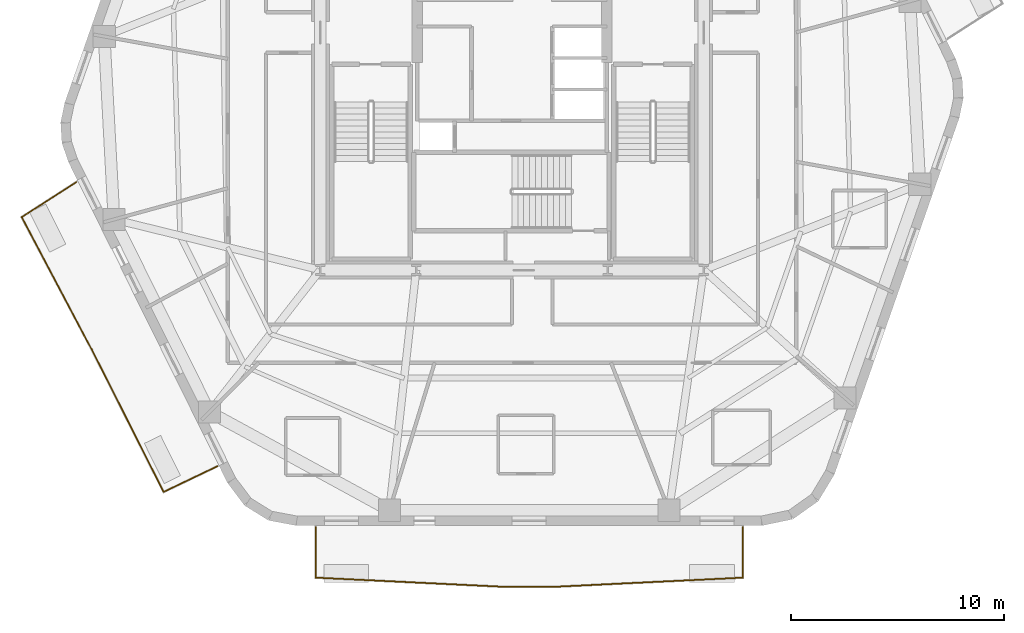
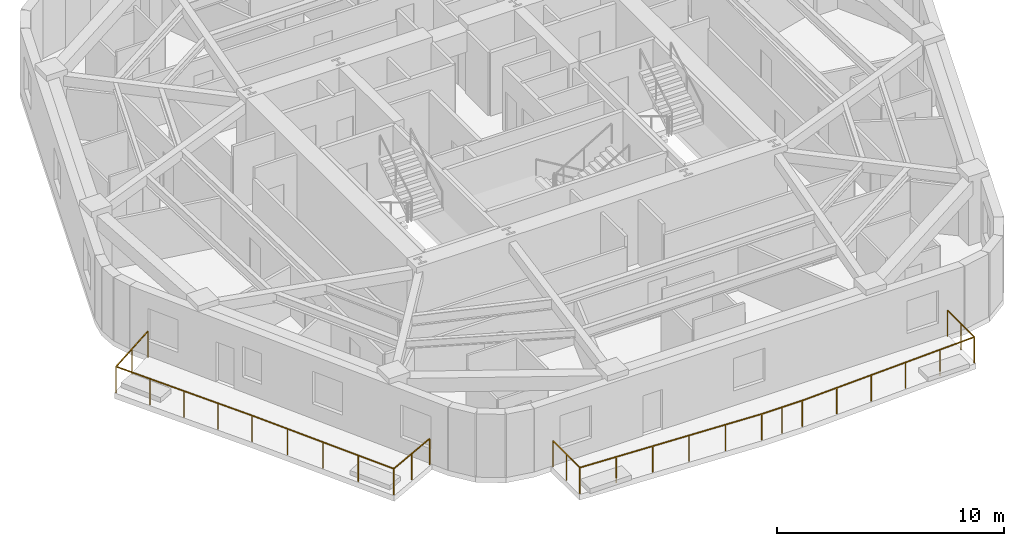
# One storey, part 8 of 10: 2 railings.
"""IFC4 building model written with IfcOpenShell, lengths in metres."""

import ifcopenshell
import ifcopenshell.guid

model = None  # the IFC model being written
_history = None  # IfcOwnerHistory: only IFC2X3 demands one
_inside = {}  # id of a spatial element -> (the spatial element, [elements in it])
_under = {}  # id of a project, library or spatial element -> (it, [spatial elements below it])
_declared = {}  # id of a project -> (the project, [libraries it declares])
_typed = {}  # id of a type object -> (the type object, [elements of that type])
_made_of = {}  # id of a material, layer set ... -> (it, [elements and type objects made of it])


def new_model(schema):
    """Start an empty IFC model of exactly this schema.

    Asked for "IFC4X3", IfcOpenShell would pick the latest addendum, in which some entities
    have other attributes; the version numbers below select the first issue.
    IFC2X3 requires an IfcOwnerHistory on every rooted entity: one is made here for all.
    """
    global model, _history
    if schema == "IFC4X3":
        model = ifcopenshell.file(schema_version=(4, 3, 0, 0))
    else:
        model = ifcopenshell.file(schema=schema)
    _inside.clear()
    _under.clear()
    _declared.clear()
    _typed.clear()
    _made_of.clear()
    _history = None
    if model.schema == "IFC2X3":
        org = make("IfcOrganization", Name="unknown")
        user = make(
            "IfcPersonAndOrganization",
            ThePerson=make("IfcPerson", FamilyName="unknown"),
            TheOrganization=org,
        )
        app = make(
            "IfcApplication",
            ApplicationDeveloper=org,
            Version="unknown",
            ApplicationFullName="unknown",
            ApplicationIdentifier="unknown",
        )
        _history = make(
            "IfcOwnerHistory",
            OwningUser=user,
            OwningApplication=app,
            ChangeAction="ADDED",
            CreationDate=0,
        )
    return model


def make(cls, **values):
    """One entity of the class cls with the attributes given. An attribute that is None is left unset."""
    return model.create_entity(
        cls, **{name: value for name, value in values.items() if value is not None}
    )


def rooted(cls, **values):
    """An entity with a GlobalId (a new one), such as an element, a storey or a relation."""
    return make(cls, GlobalId=ifcopenshell.guid.new(), OwnerHistory=_history, **values)


def si_unit(unit_type, name, prefix=None):
    """IfcSIUnit, for example si_unit("LENGTHUNIT", "METRE", prefix="MILLI")."""
    return make("IfcSIUnit", UnitType=unit_type, Prefix=prefix, Name=name)


def assignment(units):
    """IfcUnitAssignment: the units of a project."""
    return None if units is None else make("IfcUnitAssignment", Units=units)


def point(xyz):
    """IfcCartesianPoint."""
    return None if xyz is None else make("IfcCartesianPoint", Coordinates=xyz)


def direction(xyz):
    """IfcDirection."""
    return None if xyz is None else make("IfcDirection", DirectionRatios=xyz)


def frame(location, z_axis=None, x_axis=None):
    """IfcAxis2Placement3D, a coordinate frame: its origin and axes. An axis left out is left unset."""
    return make(
        "IfcAxis2Placement3D",
        Location=point(location),
        Axis=direction(z_axis),
        RefDirection=direction(x_axis),
    )


def frame_2d(location, x_axis=None):
    """IfcAxis2Placement2D, a coordinate frame in the plane: its origin and x axis."""
    return make(
        "IfcAxis2Placement2D", Location=point(location), RefDirection=direction(x_axis)
    )


def origin():
    """The frame at (0, 0, 0) with its axes left unset."""
    return frame((0.0, 0.0, 0.0))


def origin_2d():
    """The frame at (0, 0) in the plane with its x axis left unset."""
    return frame_2d((0.0, 0.0))


def place(relative_to, where):
    """IfcLocalPlacement: puts the frame where relative to a parent placement (None: the world)."""
    return make(
        "IfcLocalPlacement", PlacementRelTo=relative_to, RelativePlacement=where
    )


def context(
    kind, dimensions, precision=None, world=None, true_north=None, identifier=None
):
    """IfcGeometricRepresentationContext, for example the 3D "Model" context."""
    return make(
        "IfcGeometricRepresentationContext",
        ContextIdentifier=identifier,
        ContextType=kind,
        CoordinateSpaceDimension=dimensions,
        Precision=precision,
        WorldCoordinateSystem=world,
        TrueNorth=true_north,
    )


def subcontext(parent, identifier, kind, view, scale=None):
    """IfcGeometricRepresentationSubContext, for example "Body" below "Model"."""
    return make(
        "IfcGeometricRepresentationSubContext",
        ContextIdentifier=identifier,
        ContextType=kind,
        ParentContext=parent,
        TargetScale=scale,
        TargetView=view,
    )


def project(units=None, contexts=None):
    """IfcProject with its units and contexts."""
    return rooted(
        "IfcProject",
        Name="project",
        RepresentationContexts=contexts,
        UnitsInContext=assignment(units),
    )


def spatial(cls, under=None, at=None, **own):
    """A site, building, storey or space (cls), placed at a placement, below another one or the project."""
    s = rooted(cls, ObjectPlacement=at, **own)
    if under is not None:
        _under.setdefault(under.id(), (under, []))[1].append(s)
    return s


def profile(cls, at=None, kind="AREA", **sizes):
    """A parametric profile (cls). Its sizes go by their IFC names, for example OverallWidth=200.0."""
    return make(cls, ProfileType=kind, Position=at, **sizes)


def rectangle(**sizes):
    """IfcRectangleProfileDef."""
    return profile("IfcRectangleProfileDef", **sizes)


def extrude(swept, where, along, depth):
    """IfcExtrudedAreaSolid: the profile swept, set in the frame where, extruded along a direction by depth."""
    return make(
        "IfcExtrudedAreaSolid",
        SweptArea=swept,
        Position=where,
        ExtrudedDirection=direction(along),
        Depth=depth,
    )


def shape(context_of_items, identifier, shape_type, items):
    """IfcShapeRepresentation: the items that make up one representation, for example the "Body"."""
    return make(
        "IfcShapeRepresentation",
        ContextOfItems=context_of_items,
        RepresentationIdentifier=identifier,
        RepresentationType=shape_type,
        Items=items,
    )


def material(Name=None, Category=None):
    """IfcMaterial."""
    return make("IfcMaterial", Name=Name, Category=Category)


def layer(
    of_material, thickness, ventilated=None, Name=None, Category=None, Priority=None
):
    """IfcMaterialLayer: one layer of a wall or slab, of a material (None: an air gap)."""
    return make(
        "IfcMaterialLayer",
        Material=of_material,
        LayerThickness=thickness,
        IsVentilated=ventilated,
        Name=Name,
        Category=Category,
        Priority=Priority,
    )


def layer_set(layers, Name=None):
    """IfcMaterialLayerSet."""
    return make("IfcMaterialLayerSet", MaterialLayers=layers, LayerSetName=Name)


def made_of(thing, what):
    """Note that an element or type object is made of a material, layer set ...; save() writes the relation."""
    if what is not None:
        _made_of.setdefault(what.id(), (what, []))[1].append(thing)
    return thing


def type_object(cls, material=None, **own):
    """A type object (cls), such as IfcWallType, which elements share."""
    return made_of(rooted(cls, **own), material)


def element(
    cls,
    number,
    at=None,
    inside=None,
    cuts=None,
    type_object=None,
    material=None,
    context=None,
    identifier="Body",
    shape_type=None,
    held_by="IfcProductDefinitionShape",
    body=None,
    shapes=None,
    **own,
):
    """One element of the class cls, such as IfcWall. Its Tag is "e" and its number.

    at: its placement. inside: the storey or other place that contains it. cuts: it is an
    opening in that element (IfcRelVoidsElement). A single representation is given by context,
    identifier, shape_type and body (its items); several are given by shapes. held_by: the class
    of the entity that holds the representations. save() writes the other relations.
    """
    e = rooted(cls, Tag="e%d" % number, ObjectPlacement=at, **own)
    if body is not None:
        shapes = [shape(context, identifier, shape_type, body)]
    if shapes is not None:
        e.Representation = make(held_by, Representations=shapes)
    if inside is not None:
        _inside.setdefault(inside.id(), (inside, []))[1].append(e)
    if cuts is not None:
        rooted(
            "IfcRelVoidsElement", RelatingBuildingElement=cuts, RelatedOpeningElement=e
        )
    if type_object is not None:
        _typed.setdefault(type_object.id(), (type_object, []))[1].append(e)
    return made_of(e, material)


def aggregate(whole, parts):
    """IfcRelAggregates: a whole, such as a stair, and the parts it consists of."""
    return rooted("IfcRelAggregates", RelatingObject=whole, RelatedObjects=parts)


def save(model, path):
    """Write the relations noted so far, then the file.

    IfcRelAggregates (storeys below a building ...), IfcRelContainedInSpatialStructure (elements
    in a storey), IfcRelDefinesByType, IfcRelAssociatesMaterial and IfcRelDeclares: one each for
    every whole, place, type object, material and project.
    """
    for whole, parts in _under.values():
        aggregate(whole, parts)
    for where, things in _inside.values():
        rooted(
            "IfcRelContainedInSpatialStructure",
            RelatedElements=things,
            RelatingStructure=where,
        )
    for kind, things in _typed.values():
        rooted("IfcRelDefinesByType", RelatedObjects=things, RelatingType=kind)
    for what, things in _made_of.values():
        rooted("IfcRelAssociatesMaterial", RelatedObjects=things, RelatingMaterial=what)
    for by, libraries in _declared.values():
        rooted("IfcRelDeclares", RelatingContext=by, RelatedDefinitions=libraries)
    model.write(path)


model = new_model("IFC4")

# Units and contexts
model_context = context("Model", 3, precision=1e-05, world=origin(), true_north=direction((0.0, 1.0)))
body_context = subcontext(model_context, "Body", "Model", "MODEL_VIEW")
ifc_project = project(units=[si_unit("LENGTHUNIT", "METRE"), si_unit("AREAUNIT", "SQUARE_METRE"), si_unit("VOLUMEUNIT", "CUBIC_METRE"), si_unit("PLANEANGLEUNIT", "RADIAN"), si_unit("MASSUNIT", "GRAM", prefix="KILO")], contexts=[model_context])

# Site, building, storey
site_placement = place(None, origin())
site = spatial("IfcSite", under=ifc_project, at=site_placement, CompositionType="ELEMENT")
building_placement = place(site_placement, origin())
building = spatial("IfcBuilding", under=site, at=building_placement, Name="Kilnhurst Terrace Hotel", CompositionType="ELEMENT")
storey_placement = place(building_placement, frame((0.0, 0.0, 155.39990234375)))
storey = spatial("IfcBuildingStorey", under=building, at=storey_placement, Name="L38", CompositionType="ELEMENT", Elevation=155.39990234375)

# Railings
ifc_material = material(Name="Laminated SentryGlas and Stainless Steel AISI 316L Balustrade", Category="steel")
ifc_layer = layer(ifc_material, 0.070068359375, Name="Laminated SentryGlas and Stainless Steel AISI 316L Balustrade")
ifc_layer_set = layer_set([ifc_layer], Name="Laminated SentryGlas and Stainless Steel AISI 316L Balustrade")
railing_type = type_object("IfcRailingType", Name="RLG-BAL-1420", PredefinedType="BALUSTRADE", material=ifc_layer_set)
railing_1_placement = place(storey_placement, frame((-13.83544921875, -16.709716796875, 0.0)))
element("IfcRailing", 1, at=railing_1_placement, inside=storey, type_object=railing_type, Name="L38 Exterior Terrace Guardrail BAL-L2A.1", PredefinedType="BALUSTRADE", context=body_context, shape_type="SweptSolid", body=[
    extrude(rectangle(XDim=0.048095703125, YDim=0.048095703125, at=origin_2d()), frame((0.0, 0.0, 1.39599609375), z_axis=(-0.901469931109, -0.43284173009, 0.0), x_axis=(0.43284173009, -0.901469931109, 0.0)), (0.0, 0.0, 1.0), 2.797119140625),
    extrude(rectangle(XDim=0.048095703125, YDim=0.048095703125, at=origin_2d()), frame((-2.521484375, -1.210693359375, 1.39599609375), z_axis=(-0.450616671131, 0.892717545307, 0.0), x_axis=(-0.892717545307, -0.450616671131, 0.0)), (0.0, 0.0, 1.0), 7.453857421875),
    extrude(rectangle(XDim=0.048095703125, YDim=0.048095703125, at=origin_2d()), frame((-5.88037109375, 5.443603515625, 1.39599609375), z_axis=(-0.4472135955, 0.894427191, 0.0), x_axis=(-0.894427191, -0.4472135955, 0.0)), (0.0, 0.0, 1.0), 0.0009765625),
    extrude(rectangle(XDim=0.048095703125, YDim=0.048095703125, at=origin_2d()), frame((-5.880859375, 5.444580078125, 1.39599609375), z_axis=(-0.46789407085, 0.883784554325, 0.0), x_axis=(-0.883784554325, -0.46789407085, 0.0)), (0.0, 0.0, 1.0), 7.0654296875),
    extrude(rectangle(XDim=0.048095703125, YDim=0.048095703125, at=origin_2d()), frame((-9.186767578125, 11.68896484375, 1.39599609375), z_axis=(0.841139546062, 0.540818143233, 0.0), x_axis=(-0.540818143233, 0.841139546062, 0.0)), (0.0, 0.0, 1.0), 3.056640625),
    extrude(rectangle(XDim=0.0419921875, YDim=0.0419921875, at=origin_2d()), origin(), (0.0, 0.0, 1.0), 1.371826171875),
    extrude(rectangle(XDim=0.0419921875, YDim=0.0419921875, at=origin_2d()), frame((-1.2607421875, -0.60546875, 0.0)), (0.0, 0.0, 1.0), 1.371826171875),
    extrude(rectangle(XDim=0.0419921875, YDim=0.0419921875, at=origin_2d()), frame((-2.521484375, -1.210693359375, 0.0)), (0.0, 0.0, 1.0), 1.371826171875),
    extrude(rectangle(XDim=0.0419921875, YDim=0.0419921875, at=origin_2d()), frame((-3.361328125, 0.452880859375, 0.0)), (0.0, 0.0, 1.0), 1.371826171875),
    extrude(rectangle(XDim=0.0419921875, YDim=0.0419921875, at=origin_2d()), frame((-4.200927734375, 2.116455078125, 0.0)), (0.0, 0.0, 1.0), 1.371826171875),
    extrude(rectangle(XDim=0.0419921875, YDim=0.0419921875, at=origin_2d()), frame((-5.04052734375, 3.780029296875, 0.0)), (0.0, 0.0, 1.0), 1.371826171875),
    extrude(rectangle(XDim=0.0419921875, YDim=0.0419921875, at=origin_2d()), frame((-5.88037109375, 5.443603515625, 0.0)), (0.0, 0.0, 1.0), 1.371826171875),
    extrude(rectangle(XDim=0.0419921875, YDim=0.0419921875, at=origin_2d()), frame((-5.880859375, 5.444580078125, 0.0)), (0.0, 0.0, 1.0), 1.371826171875),
    extrude(rectangle(XDim=0.0419921875, YDim=0.0419921875, at=origin_2d()), frame((-6.707275390625, 7.005615234375, 0.0)), (0.0, 0.0, 1.0), 1.371826171875),
    extrude(rectangle(XDim=0.0419921875, YDim=0.0419921875, at=origin_2d()), frame((-7.53369140625, 8.56689453125, 0.0)), (0.0, 0.0, 1.0), 1.371826171875),
    extrude(rectangle(XDim=0.0419921875, YDim=0.0419921875, at=origin_2d()), frame((-8.3603515625, 10.1279296875, 0.0)), (0.0, 0.0, 1.0), 1.371826171875),
    extrude(rectangle(XDim=0.0419921875, YDim=0.0419921875, at=origin_2d()), frame((-9.186767578125, 11.68896484375, 0.0)), (0.0, 0.0, 1.0), 1.371826171875),
    extrude(rectangle(XDim=0.0419921875, YDim=0.0419921875, at=origin_2d()), frame((-7.9013671875, 12.515625, 0.0)), (0.0, 0.0, 1.0), 1.371826171875),
    extrude(rectangle(XDim=0.0419921875, YDim=0.0419921875, at=origin_2d()), frame((-6.61572265625, 13.342041015625, 0.0)), (0.0, 0.0, 1.0), 1.371826171875),
])
railing_2_placement = place(storey_placement, frame((10.83349609375, -19.580078125, 0.0)))
element("IfcRailing", 2, at=railing_2_placement, inside=storey, type_object=railing_type, Name="L38 Exterior Terrace Guardrail BAL-L2B.1", PredefinedType="BALUSTRADE", context=body_context, shape_type="SweptSolid", body=[
    extrude(rectangle(XDim=0.048095703125, YDim=0.048095703125, at=origin_2d()), frame((0.0, 0.0, 1.39599609375), z_axis=(0.0, -1.0, 0.0), x_axis=(1.0, 0.0, 0.0)), (0.0, 0.0, 1.0), 2.36279296875),
    extrude(rectangle(XDim=0.048095703125, YDim=0.048095703125, at=origin_2d()), frame((0.0, -2.36279296875, 1.39599609375), z_axis=(-0.998822813861, -0.048507592295, 0.0), x_axis=(0.048507592295, -0.998822813861, 0.0)), (0.0, 0.0, 1.0), 9.009033203125),
    extrude(rectangle(XDim=0.048095703125, YDim=0.048095703125, at=origin_2d()), frame((-8.99853515625, -2.7998046875, 1.39599609375), z_axis=(-1.0, 0.0, 0.0), x_axis=(0.0, -1.0, 0.0)), (0.0, 0.0, 1.0), 2.0556640625),
    extrude(rectangle(XDim=0.048095703125, YDim=0.048095703125, at=origin_2d()), frame((-11.05419921875, -2.7998046875, 1.39599609375), z_axis=(-0.998822813861, 0.048507592295, 0.0), x_axis=(-0.048507592295, -0.998822813861, 0.0)), (0.0, 0.0, 1.0), 9.009033203125),
    extrude(rectangle(XDim=0.048095703125, YDim=0.048095703125, at=origin_2d()), frame((-20.052734375, -2.36279296875, 1.39599609375), z_axis=(0.0, 1.0, 0.0), x_axis=(-1.0, 0.0, 0.0)), (0.0, 0.0, 1.0), 2.36279296875),
    extrude(rectangle(XDim=0.0419921875, YDim=0.0419921875, at=origin_2d()), origin(), (0.0, 0.0, 1.0), 1.371826171875),
    extrude(rectangle(XDim=0.0419921875, YDim=0.0419921875, at=origin_2d()), frame((0.0, -1.181396484375, 0.0)), (0.0, 0.0, 1.0), 1.371826171875),
    extrude(rectangle(XDim=0.0419921875, YDim=0.0419921875, at=origin_2d()), frame((0.0, -2.36279296875, 0.0)), (0.0, 0.0, 1.0), 1.371826171875),
    extrude(rectangle(XDim=0.0419921875, YDim=0.0419921875, at=origin_2d()), frame((-1.7998046875, -2.4501953125, 0.0)), (0.0, 0.0, 1.0), 1.371826171875),
    extrude(rectangle(XDim=0.0419921875, YDim=0.0419921875, at=origin_2d()), frame((-3.599365234375, -2.53759765625, 0.0)), (0.0, 0.0, 1.0), 1.371826171875),
    extrude(rectangle(XDim=0.0419921875, YDim=0.0419921875, at=origin_2d()), frame((-5.399169921875, -2.625, 0.0)), (0.0, 0.0, 1.0), 1.371826171875),
    extrude(rectangle(XDim=0.0419921875, YDim=0.0419921875, at=origin_2d()), frame((-7.19873046875, -2.71240234375, 0.0)), (0.0, 0.0, 1.0), 1.371826171875),
    extrude(rectangle(XDim=0.0419921875, YDim=0.0419921875, at=origin_2d()), frame((-8.99853515625, -2.7998046875, 0.0)), (0.0, 0.0, 1.0), 1.371826171875),
    extrude(rectangle(XDim=0.0419921875, YDim=0.0419921875, at=origin_2d()), frame((-10.0263671875, -2.7998046875, 0.0)), (0.0, 0.0, 1.0), 1.371826171875),
    extrude(rectangle(XDim=0.0419921875, YDim=0.0419921875, at=origin_2d()), frame((-11.05419921875, -2.7998046875, 0.0)), (0.0, 0.0, 1.0), 1.371826171875),
    extrude(rectangle(XDim=0.0419921875, YDim=0.0419921875, at=origin_2d()), frame((-12.85400390625, -2.71240234375, 0.0)), (0.0, 0.0, 1.0), 1.371826171875),
    extrude(rectangle(XDim=0.0419921875, YDim=0.0419921875, at=origin_2d()), frame((-14.653564453125, -2.625, 0.0)), (0.0, 0.0, 1.0), 1.371826171875),
    extrude(rectangle(XDim=0.0419921875, YDim=0.0419921875, at=origin_2d()), frame((-16.453369140625, -2.53759765625, 0.0)), (0.0, 0.0, 1.0), 1.371826171875),
    extrude(rectangle(XDim=0.0419921875, YDim=0.0419921875, at=origin_2d()), frame((-18.2529296875, -2.4501953125, 0.0)), (0.0, 0.0, 1.0), 1.371826171875),
    extrude(rectangle(XDim=0.0419921875, YDim=0.0419921875, at=origin_2d()), frame((-20.052734375, -2.36279296875, 0.0)), (0.0, 0.0, 1.0), 1.371826171875),
    extrude(rectangle(XDim=0.0419921875, YDim=0.0419921875, at=origin_2d()), frame((-20.052734375, -1.181396484375, 0.0)), (0.0, 0.0, 1.0), 1.371826171875),
    extrude(rectangle(XDim=0.0419921875, YDim=0.0419921875, at=origin_2d()), frame((-20.052734375, 0.0, 0.0)), (0.0, 0.0, 1.0), 1.371826171875),
])

save(model, "model.ifc")
